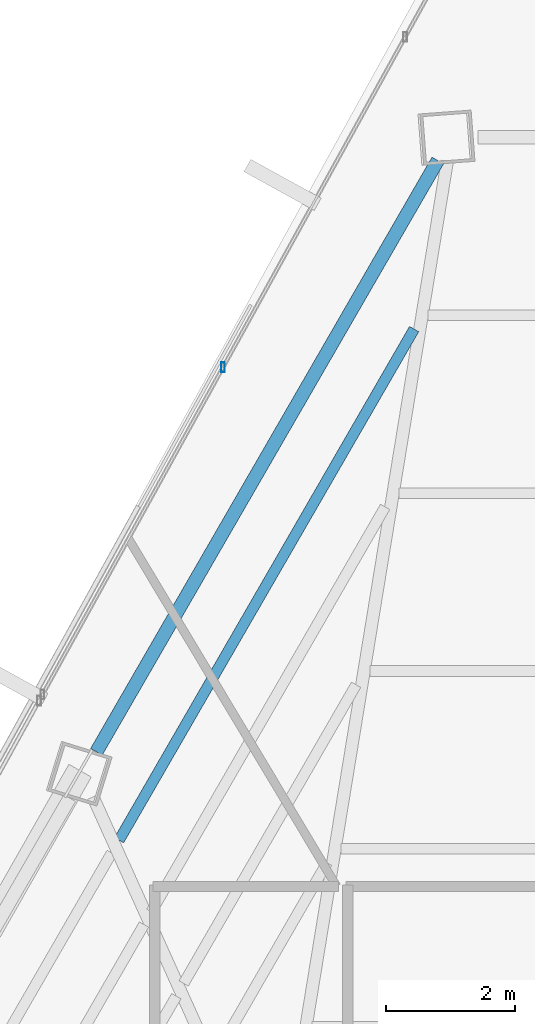
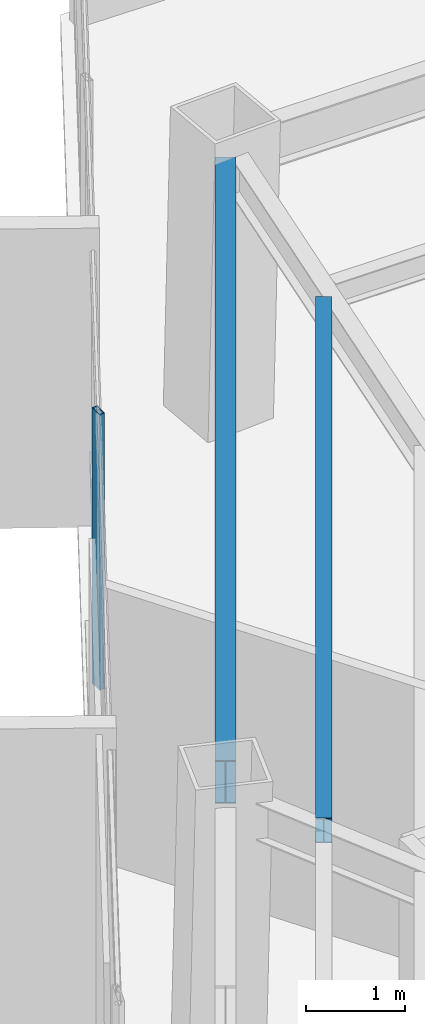
# One storey, part 29 of 40: 2 beams, 1 member, 1 element without a shape of its own.
"""IFC4 building model written with IfcOpenShell, lengths in metres."""

import ifcopenshell
import ifcopenshell.guid

model = None  # the IFC model being written
_history = None  # IfcOwnerHistory: only IFC2X3 demands one
_inside = {}  # id of a spatial element -> (the spatial element, [elements in it])
_under = {}  # id of a project, library or spatial element -> (it, [spatial elements below it])
_declared = {}  # id of a project -> (the project, [libraries it declares])
_typed = {}  # id of a type object -> (the type object, [elements of that type])
_made_of = {}  # id of a material, layer set ... -> (it, [elements and type objects made of it])


def new_model(schema):
    """Start an empty IFC model of exactly this schema.

    Asked for "IFC4X3", IfcOpenShell would pick the latest addendum, in which some entities
    have other attributes; the version numbers below select the first issue.
    IFC2X3 requires an IfcOwnerHistory on every rooted entity: one is made here for all.
    """
    global model, _history
    if schema == "IFC4X3":
        model = ifcopenshell.file(schema_version=(4, 3, 0, 0))
    else:
        model = ifcopenshell.file(schema=schema)
    _inside.clear()
    _under.clear()
    _declared.clear()
    _typed.clear()
    _made_of.clear()
    _history = None
    if model.schema == "IFC2X3":
        org = make("IfcOrganization", Name="unknown")
        user = make(
            "IfcPersonAndOrganization",
            ThePerson=make("IfcPerson", FamilyName="unknown"),
            TheOrganization=org,
        )
        app = make(
            "IfcApplication",
            ApplicationDeveloper=org,
            Version="unknown",
            ApplicationFullName="unknown",
            ApplicationIdentifier="unknown",
        )
        _history = make(
            "IfcOwnerHistory",
            OwningUser=user,
            OwningApplication=app,
            ChangeAction="ADDED",
            CreationDate=0,
        )
    return model


def make(cls, **values):
    """One entity of the class cls with the attributes given. An attribute that is None is left unset."""
    return model.create_entity(
        cls, **{name: value for name, value in values.items() if value is not None}
    )


def rooted(cls, **values):
    """An entity with a GlobalId (a new one), such as an element, a storey or a relation."""
    return make(cls, GlobalId=ifcopenshell.guid.new(), OwnerHistory=_history, **values)


def si_unit(unit_type, name, prefix=None):
    """IfcSIUnit, for example si_unit("LENGTHUNIT", "METRE", prefix="MILLI")."""
    return make("IfcSIUnit", UnitType=unit_type, Prefix=prefix, Name=name)


def assignment(units):
    """IfcUnitAssignment: the units of a project."""
    return None if units is None else make("IfcUnitAssignment", Units=units)


def point(xyz):
    """IfcCartesianPoint."""
    return None if xyz is None else make("IfcCartesianPoint", Coordinates=xyz)


def direction(xyz):
    """IfcDirection."""
    return None if xyz is None else make("IfcDirection", DirectionRatios=xyz)


def frame(location, z_axis=None, x_axis=None):
    """IfcAxis2Placement3D, a coordinate frame: its origin and axes. An axis left out is left unset."""
    return make(
        "IfcAxis2Placement3D",
        Location=point(location),
        Axis=direction(z_axis),
        RefDirection=direction(x_axis),
    )


def frame_2d(location, x_axis=None):
    """IfcAxis2Placement2D, a coordinate frame in the plane: its origin and x axis."""
    return make(
        "IfcAxis2Placement2D", Location=point(location), RefDirection=direction(x_axis)
    )


def origin():
    """The frame at (0, 0, 0) with its axes left unset."""
    return frame((0.0, 0.0, 0.0))


def origin_2d():
    """The frame at (0, 0) in the plane with its x axis left unset."""
    return frame_2d((0.0, 0.0))


def place(relative_to, where):
    """IfcLocalPlacement: puts the frame where relative to a parent placement (None: the world)."""
    return make(
        "IfcLocalPlacement", PlacementRelTo=relative_to, RelativePlacement=where
    )


def context(
    kind, dimensions, precision=None, world=None, true_north=None, identifier=None
):
    """IfcGeometricRepresentationContext, for example the 3D "Model" context."""
    return make(
        "IfcGeometricRepresentationContext",
        ContextIdentifier=identifier,
        ContextType=kind,
        CoordinateSpaceDimension=dimensions,
        Precision=precision,
        WorldCoordinateSystem=world,
        TrueNorth=true_north,
    )


def subcontext(parent, identifier, kind, view, scale=None):
    """IfcGeometricRepresentationSubContext, for example "Body" below "Model"."""
    return make(
        "IfcGeometricRepresentationSubContext",
        ContextIdentifier=identifier,
        ContextType=kind,
        ParentContext=parent,
        TargetScale=scale,
        TargetView=view,
    )


def project(units=None, contexts=None):
    """IfcProject with its units and contexts."""
    return rooted(
        "IfcProject",
        Name="project",
        RepresentationContexts=contexts,
        UnitsInContext=assignment(units),
    )


def spatial(cls, under=None, at=None, **own):
    """A site, building, storey or space (cls), placed at a placement, below another one or the project."""
    s = rooted(cls, ObjectPlacement=at, **own)
    if under is not None:
        _under.setdefault(under.id(), (under, []))[1].append(s)
    return s


def profile(cls, at=None, kind="AREA", **sizes):
    """A parametric profile (cls). Its sizes go by their IFC names, for example OverallWidth=200.0."""
    return make(cls, ProfileType=kind, Position=at, **sizes)


def hollow_rectangle(**sizes):
    """IfcRectangleHollowProfileDef."""
    return profile("IfcRectangleHollowProfileDef", **sizes)


def i_section(**sizes):
    """IfcIShapeProfileDef."""
    return profile("IfcIShapeProfileDef", **sizes)


def extrude(swept, where, along, depth):
    """IfcExtrudedAreaSolid: the profile swept, set in the frame where, extruded along a direction by depth."""
    return make(
        "IfcExtrudedAreaSolid",
        SweptArea=swept,
        Position=where,
        ExtrudedDirection=direction(along),
        Depth=depth,
    )


def shape(context_of_items, identifier, shape_type, items):
    """IfcShapeRepresentation: the items that make up one representation, for example the "Body"."""
    return make(
        "IfcShapeRepresentation",
        ContextOfItems=context_of_items,
        RepresentationIdentifier=identifier,
        RepresentationType=shape_type,
        Items=items,
    )


def source(mapping_origin, context_of_items, identifier, shape_type, items):
    """IfcRepresentationMap: a shape defined once, which mapped items show again and again."""
    return make(
        "IfcRepresentationMap",
        MappingOrigin=mapping_origin,
        MappedRepresentation=shape(context_of_items, identifier, shape_type, items),
    )


def transform(
    local_origin,
    x_axis=None,
    y_axis=None,
    z_axis=None,
    scale=None,
    scale2=None,
    scale3=None,
    uniform=True,
):
    """IfcCartesianTransformationOperator3D, or its non-uniform kind. x_axis, y_axis, z_axis: its Axis1, 2, 3."""
    if uniform:
        return make(
            "IfcCartesianTransformationOperator3D",
            Axis1=direction(x_axis),
            Axis2=direction(y_axis),
            LocalOrigin=point(local_origin),
            Scale=scale,
            Axis3=direction(z_axis),
        )
    return make(
        "IfcCartesianTransformationOperator3DnonUniform",
        Axis1=direction(x_axis),
        Axis2=direction(y_axis),
        LocalOrigin=point(local_origin),
        Scale=scale,
        Axis3=direction(z_axis),
        Scale2=scale2,
        Scale3=scale3,
    )


def mapped(mapping_source, mapping_target):
    """IfcMappedItem: shows the shape of a source again, moved by a transform."""
    return make(
        "IfcMappedItem", MappingSource=mapping_source, MappingTarget=mapping_target
    )


def material(Name=None, Category=None):
    """IfcMaterial."""
    return make("IfcMaterial", Name=Name, Category=Category)


def material_profile(
    of_material, cross_section, Name=None, Category=None, Priority=None
):
    """IfcMaterialProfile: a cross section and its material."""
    return make(
        "IfcMaterialProfile",
        Name=Name,
        Material=of_material,
        Profile=cross_section,
        Priority=Priority,
        Category=Category,
    )


def profile_set(profiles, Name=None, composite=None):
    """IfcMaterialProfileSet."""
    return make(
        "IfcMaterialProfileSet",
        Name=Name,
        MaterialProfiles=profiles,
        CompositeProfile=composite,
    )


def made_of(thing, what):
    """Note that an element or type object is made of a material, layer set ...; save() writes the relation."""
    if what is not None:
        _made_of.setdefault(what.id(), (what, []))[1].append(thing)
    return thing


def type_object(cls, material=None, **own):
    """A type object (cls), such as IfcWallType, which elements share."""
    return made_of(rooted(cls, **own), material)


def type_shapes(of_type, sources):
    """Give a type object the sources (RepresentationMaps) that its elements show as mapped items."""
    of_type.RepresentationMaps = sources


def element(
    cls,
    number,
    at=None,
    inside=None,
    cuts=None,
    type_object=None,
    material=None,
    context=None,
    identifier="Body",
    shape_type=None,
    held_by="IfcProductDefinitionShape",
    body=None,
    shapes=None,
    **own,
):
    """One element of the class cls, such as IfcWall. Its Tag is "e" and its number.

    at: its placement. inside: the storey or other place that contains it. cuts: it is an
    opening in that element (IfcRelVoidsElement). A single representation is given by context,
    identifier, shape_type and body (its items); several are given by shapes. held_by: the class
    of the entity that holds the representations. save() writes the other relations.
    """
    e = rooted(cls, Tag="e%d" % number, ObjectPlacement=at, **own)
    if body is not None:
        shapes = [shape(context, identifier, shape_type, body)]
    if shapes is not None:
        e.Representation = make(held_by, Representations=shapes)
    if inside is not None:
        _inside.setdefault(inside.id(), (inside, []))[1].append(e)
    if cuts is not None:
        rooted(
            "IfcRelVoidsElement", RelatingBuildingElement=cuts, RelatedOpeningElement=e
        )
    if type_object is not None:
        _typed.setdefault(type_object.id(), (type_object, []))[1].append(e)
    return made_of(e, material)


def aggregate(whole, parts):
    """IfcRelAggregates: a whole, such as a stair, and the parts it consists of."""
    return rooted("IfcRelAggregates", RelatingObject=whole, RelatedObjects=parts)


def save(model, path):
    """Write the relations noted so far, then the file.

    IfcRelAggregates (storeys below a building ...), IfcRelContainedInSpatialStructure (elements
    in a storey), IfcRelDefinesByType, IfcRelAssociatesMaterial and IfcRelDeclares: one each for
    every whole, place, type object, material and project.
    """
    for whole, parts in _under.values():
        aggregate(whole, parts)
    for where, things in _inside.values():
        rooted(
            "IfcRelContainedInSpatialStructure",
            RelatedElements=things,
            RelatingStructure=where,
        )
    for kind, things in _typed.values():
        rooted("IfcRelDefinesByType", RelatedObjects=things, RelatingType=kind)
    for what, things in _made_of.values():
        rooted("IfcRelAssociatesMaterial", RelatedObjects=things, RelatingMaterial=what)
    for by, libraries in _declared.values():
        rooted("IfcRelDeclares", RelatingContext=by, RelatedDefinitions=libraries)
    model.write(path)


model = new_model("IFC4")

# Units and contexts
model_context = context("Model", 3, precision=1e-05, world=origin(), true_north=direction((0.0, 1.0)))
body_context = subcontext(model_context, "Body", "Model", "MODEL_VIEW")
ifc_project = project(units=[si_unit("LENGTHUNIT", "METRE"), si_unit("AREAUNIT", "SQUARE_METRE"), si_unit("VOLUMEUNIT", "CUBIC_METRE"), si_unit("PLANEANGLEUNIT", "RADIAN"), si_unit("MASSUNIT", "GRAM", prefix="KILO")], contexts=[model_context])

# Site, building, storey
site_placement = place(None, origin())
site = spatial("IfcSite", under=ifc_project, at=site_placement, CompositionType="ELEMENT")
building_placement = place(site_placement, origin())
building = spatial("IfcBuilding", under=site, at=building_placement, Name="Caelisora Broadcast Tower", CompositionType="ELEMENT")
storey_placement = place(building_placement, frame((0.0, 0.0, 213.25)))
storey = spatial("IfcBuildingStorey", under=building, at=storey_placement, Name="L56", CompositionType="ELEMENT", Elevation=213.25)

# Beams
ifc_material_1 = material(Name="Steel Grade 350 (AS/NZS 3679.1)", Category="steel")
ifc_material_profile_1 = material_profile(ifc_material_1, i_section(OverallWidth=0.208984375, OverallDepth=0.532958984375, WebThickness=0.01025390625, FlangeThickness=0.015625, at=origin_2d()), Name="Steel Grade 350 (AS/NZS 3679.1)")
ifc_profile_set_1 = profile_set([ifc_material_profile_1], Name="Steel Grade 350 (AS/NZS 3679.1)")
beam_type_1 = type_object("IfcBeamType", Name="PG05", PredefinedType="BEAM", material=ifc_profile_set_1)
shared_shape_1 = source(origin(), body_context, "Body", "SweptSolid", [
    extrude(i_section(OverallWidth=0.208984375, OverallDepth=0.532958984375, WebThickness=0.01025390625, FlangeThickness=0.015625, at=origin_2d()), origin(), (0.0, 0.0, 1.0), 10.62255859375),
])
type_shapes(beam_type_1, [shared_shape_1])
beam_1_placement = place(storey_placement, frame((33.00244140625, 46.244873046875, 3.133544921875), z_axis=(-0.499997664454, -0.866026752208, 0.0), x_axis=(0.866026752208, -0.499997664454, 0.0)))
element("IfcBeam", 1, at=beam_1_placement, inside=storey, type_object=beam_type_1, Name="L56 beam PG05", PredefinedType="BEAM", context=body_context, shape_type="MappedRepresentation", body=[
    mapped(shared_shape_1, transform((0.0, 0.0, 0.0), scale=1.0)),
])
ifc_material_profile_2 = material_profile(ifc_material_1, i_section(OverallWidth=0.166015625, OverallDepth=0.30712890625, WebThickness=0.006591796875, FlangeThickness=0.01171875, at=origin_2d()), Name="Steel Grade 350 (AS/NZS 3679.1)")
ifc_profile_set_2 = profile_set([ifc_material_profile_2], Name="Steel Grade 350 (AS/NZS 3679.1)")
beam_type_2 = type_object("IfcBeamType", Name="SB03", PredefinedType="JOIST", material=ifc_profile_set_2)
shared_shape_2 = source(origin(), body_context, "Body", "SweptSolid", [
    extrude(i_section(OverallWidth=0.166015625, OverallDepth=0.30712890625, WebThickness=0.006591796875, FlangeThickness=0.01171875, at=origin_2d()), origin(), (0.0, 0.0, 1.0), 9.1826171875),
])
type_shapes(beam_type_2, [shared_shape_2])
beam_2_placement = place(storey_placement, frame((32.634521484375, 43.62255859375, 3.246337890625), z_axis=(-0.49999939544, -0.866025752827, 0.0), x_axis=(0.866025752827, -0.49999939544, 0.0)))
element("IfcBeam", 2, at=beam_2_placement, inside=storey, type_object=beam_type_2, Name="L56 beam SB03", PredefinedType="JOIST", context=body_context, shape_type="MappedRepresentation", body=[
    mapped(shared_shape_2, transform((0.0, 0.0, 0.0), scale=1.0)),
])

# Curtain wall, member
ifc_material_2 = material(Name="Unitised Aluminium and Low-E Glass Curtain Wall", Category="glass")
curtain_wall_type = type_object("IfcCurtainWallType", Name="CW-Z4", PredefinedType="NOTDEFINED", material=ifc_material_2)
curtain_wall_placement = place(storey_placement, origin())
curtain_wall = element("IfcCurtainWall", 3, at=curtain_wall_placement, inside=storey, type_object=curtain_wall_type, Name="L56 curtain wall CW-Z4", PredefinedType="NOTDEFINED")
ifc_material_3 = material(Name="Aluminium 6063-T6 Anodised Terracotta Bronze", Category="aluminium")
ifc_material_profile_3 = material_profile(ifc_material_3, hollow_rectangle(XDim=0.06005859375, YDim=0.14990234375, WallThickness=0.00341796875, at=origin_2d()), Name="Aluminium 6063-T6 Anodised Terracotta Bronze")
ifc_profile_set_3 = profile_set([ifc_material_profile_3], Name="Aluminium 6063-T6 Anodised Terracotta Bronze")
member_type = type_object("IfcMemberType", Name="CWM-03", PredefinedType="MULLION", material=ifc_profile_set_3)
shared_shape_3 = source(origin(), body_context, "Body", "SweptSolid", [
    extrude(hollow_rectangle(XDim=0.06005859375, YDim=0.14990234375, WallThickness=0.00341796875, at=origin_2d()), origin(), (0.0, 0.0, 1.0), 3.39990234375),
])
type_shapes(member_type, [shared_shape_3])
member_placement = place(storey_placement, frame((29.66162109375, 43.02880859375, 0.0), z_axis=(0.0, 0.0, 1.0), x_axis=(1.0, 0.0, 0.0)))
member = element("IfcMember", 4, at=member_placement, type_object=member_type, Name="L56-CW-B11 mullion #1", PredefinedType="MULLION", context=body_context, shape_type="MappedRepresentation", body=[
    mapped(shared_shape_3, transform((0.0, 0.0, 0.0), scale=1.0)),
])
aggregate(curtain_wall, [member])

save(model, "model.ifc")
